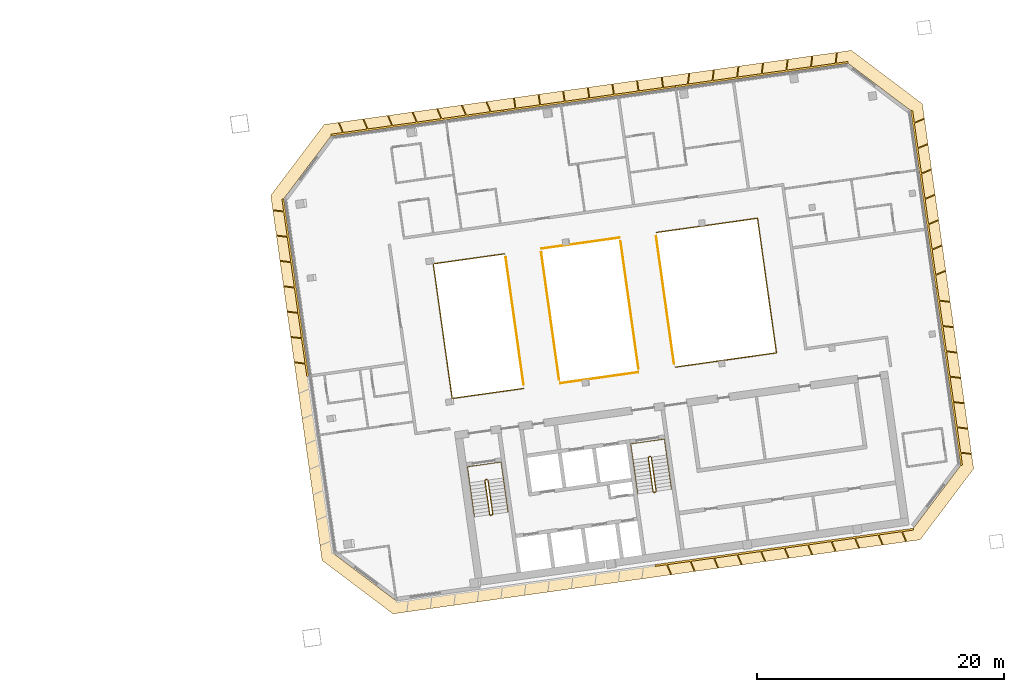
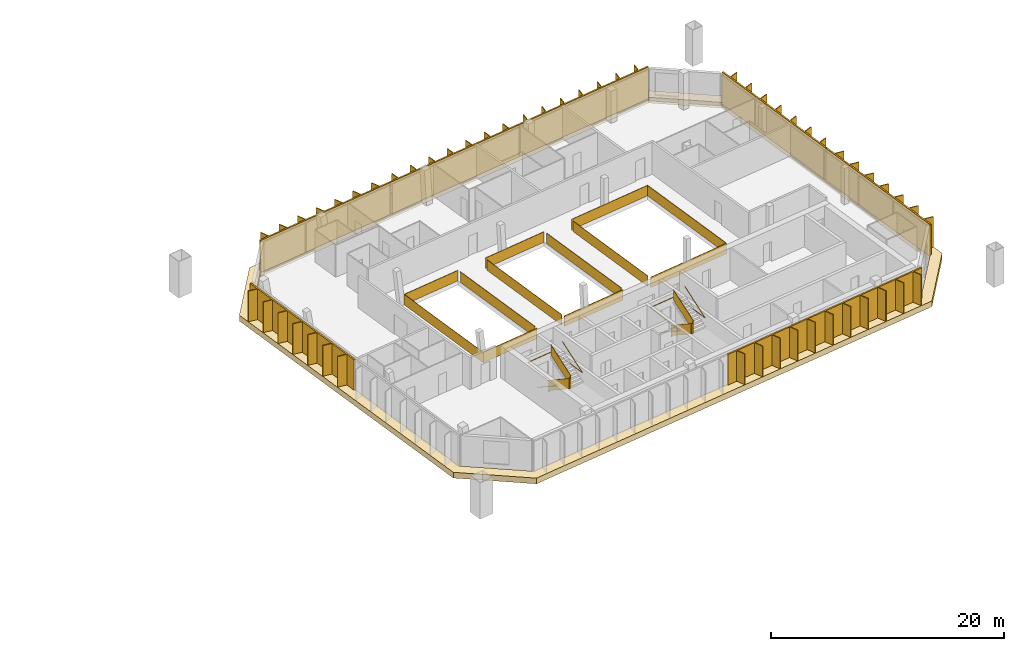
# One storey, part 20 of 20: 12 railings, 7 shading devices, 1 covering.
"""IFC4 building model written with IfcOpenShell, lengths in metres."""

from ifc_helpers import new_model, si_unit, direction, frame, origin, origin_2d, place, context, subcontext, project, spatial, polyline, rectangle, outline, extrude, material, layer, layer_set, type_object, element, save


model = new_model("IFC4")

# Units and contexts
model_context = context("Model", 3, precision=1e-05, world=origin(), true_north=direction((0.0, 1.0)))
body_context = subcontext(model_context, "Body", "Model", "MODEL_VIEW")
ifc_project = project(units=[si_unit("LENGTHUNIT", "METRE"), si_unit("AREAUNIT", "SQUARE_METRE"), si_unit("VOLUMEUNIT", "CUBIC_METRE"), si_unit("PLANEANGLEUNIT", "RADIAN"), si_unit("MASSUNIT", "GRAM", prefix="KILO")], contexts=[model_context])

# Site, building, storey
site_placement = place(None, origin())
site = spatial("IfcSite", under=ifc_project, at=site_placement, CompositionType="ELEMENT")
building_placement = place(site_placement, origin())
building = spatial("IfcBuilding", under=site, at=building_placement, Name="Mirante Cascada Hotel Towers", CompositionType="ELEMENT")
storey_placement = place(building_placement, frame((0.0, 0.0, 224.2)))
storey = spatial("IfcBuildingStorey", under=building, at=storey_placement, Name="L53", CompositionType="ELEMENT", Elevation=224.2)

# Railings
ifc_material_1 = material(Name="Toughened glass with stainless steel handrail", Category="steel")
railing_type_1 = type_object("IfcRailingType", Name="Atrium guard 1100 glass balustrade", PredefinedType="GUARDRAIL", material=ifc_material_1)
railing_1_placement = place(storey_placement, frame((39.6676, 7.0334, 0.0)))
element("IfcRailing", 1, at=railing_1_placement, inside=storey, type_object=railing_type_1, Name="GUARD 2-L53-1", PredefinedType="GUARDRAIL", context=body_context, shape_type="SweptSolid", body=[
    extrude(rectangle(XDim=0.048, YDim=0.048, at=origin_2d()), frame((0.0, 0.0, 1.076), z_axis=(-0.9902677, -0.139176, 0.0), x_axis=(0.139176, -0.9902677, 0.0)), (0.0, 0.0, 1.0), 5.8307),
    extrude(rectangle(XDim=0.02, YDim=1.052, at=origin_2d()), frame((0.0, 0.0, 0.526), z_axis=(-0.9902677, -0.139176, 0.0), x_axis=(0.139176, -0.9902677, 0.0)), (0.0, 0.0, 1.0), 5.8307),
    extrude(rectangle(XDim=0.048, YDim=0.048, at=origin_2d()), frame((-5.774, -0.8115, 1.076), z_axis=(0.1391733, -0.990268, 0.0), x_axis=(0.990268, 0.1391733, 0.0)), (0.0, 0.0, 1.0), 11.0),
    extrude(rectangle(XDim=0.02, YDim=1.052, at=origin_2d()), frame((-5.774, -0.8115, 0.526), z_axis=(0.1391733, -0.990268, 0.0), x_axis=(0.990268, 0.1391733, 0.0)), (0.0, 0.0, 1.0), 11.0),
    extrude(rectangle(XDim=0.048, YDim=0.048, at=origin_2d()), frame((-4.2431, -11.7044, 1.076), z_axis=(0.99027, 0.1391592, 0.0), x_axis=(-0.1391592, 0.99027, 0.0)), (0.0, 0.0, 1.0), 5.8307),
    extrude(rectangle(XDim=0.02, YDim=1.052, at=origin_2d()), frame((-4.2431, -11.7044, 0.526), z_axis=(0.99027, 0.1391592, 0.0), x_axis=(-0.1391592, 0.99027, 0.0)), (0.0, 0.0, 1.0), 5.8307),
])
railing_2_placement = place(storey_placement, frame((44.1693, -3.4421, 0.0)))
element("IfcRailing", 2, at=railing_2_placement, inside=storey, type_object=railing_type_1, Name="GUARD 2-L53-2", PredefinedType="GUARDRAIL", context=body_context, shape_type="SweptSolid", body=[
    extrude(rectangle(XDim=0.048, YDim=0.048, at=origin_2d()), frame((0.0, 0.0, 1.076), z_axis=(0.9902678, 0.1391752, 0.0), x_axis=(-0.1391752, 0.9902678, 0.0)), (0.0, 0.0, 1.0), 6.3898),
    extrude(rectangle(XDim=0.02, YDim=1.052, at=origin_2d()), frame((0.0, 0.0, 0.526), z_axis=(0.9902678, 0.1391752, 0.0), x_axis=(-0.1391752, 0.9902678, 0.0)), (0.0, 0.0, 1.0), 6.3898),
    extrude(rectangle(XDim=0.048, YDim=0.048, at=origin_2d()), frame((6.3276, 0.8893, 1.076), z_axis=(-1.0, 0.0, 0.0), x_axis=(0.0, -1.0, 0.0)), (0.0, 0.0, 1.0), 0.0001),
    extrude(rectangle(XDim=0.02, YDim=1.052, at=origin_2d()), frame((6.3276, 0.8893, 0.526), z_axis=(-1.0, 0.0, 0.0), x_axis=(0.0, -1.0, 0.0)), (0.0, 0.0, 1.0), 0.0001),
])
railing_3_placement = place(storey_placement, frame((48.9659, 8.3402, 0.0)))
element("IfcRailing", 3, at=railing_3_placement, inside=storey, type_object=railing_type_1, Name="GUARD 2-L53-3", PredefinedType="GUARDRAIL", context=body_context, shape_type="SweptSolid", body=[
    extrude(rectangle(XDim=0.048, YDim=0.048, at=origin_2d()), frame((0.0, 0.0, 1.076), z_axis=(-0.9902675, -0.1391774, 0.0), x_axis=(0.1391774, -0.9902675, 0.0)), (0.0, 0.0, 1.0), 6.3897),
    extrude(rectangle(XDim=0.02, YDim=1.052, at=origin_2d()), frame((0.0, 0.0, 0.526), z_axis=(-0.9902675, -0.1391774, 0.0), x_axis=(0.1391774, -0.9902675, 0.0)), (0.0, 0.0, 1.0), 6.3897),
])
railing_4_placement = place(storey_placement, frame((53.4677, -2.1352, 0.0)))
element("IfcRailing", 4, at=railing_4_placement, inside=storey, type_object=railing_type_1, Name="GUARD 2-L53-4", PredefinedType="GUARDRAIL", context=body_context, shape_type="SweptSolid", body=[
    extrude(rectangle(XDim=0.048, YDim=0.048, at=origin_2d()), frame((0.0, 0.0, 1.076), z_axis=(0.9902694, 0.1391636, 0.0), x_axis=(-0.1391636, 0.9902694, 0.0)), (0.0, 0.0, 1.0), 8.2795),
    extrude(rectangle(XDim=0.02, YDim=1.052, at=origin_2d()), frame((0.0, 0.0, 0.526), z_axis=(0.9902694, 0.1391636, 0.0), x_axis=(-0.1391636, 0.9902694, 0.0)), (0.0, 0.0, 1.0), 8.2795),
    extrude(rectangle(XDim=0.048, YDim=0.048, at=origin_2d()), frame((8.1989, 1.1522, 1.076), z_axis=(-0.1391721, 0.9902682, 0.0), x_axis=(-0.9902682, -0.1391721, 0.0)), (0.0, 0.0, 1.0), 11.0001),
    extrude(rectangle(XDim=0.02, YDim=1.052, at=origin_2d()), frame((8.1989, 1.1522, 0.526), z_axis=(-0.1391721, 0.9902682, 0.0), x_axis=(-0.9902682, -0.1391721, 0.0)), (0.0, 0.0, 1.0), 11.0001),
    extrude(rectangle(XDim=0.048, YDim=0.048, at=origin_2d()), frame((6.668, 12.0452, 1.076), z_axis=(-0.9902677, -0.1391754, 0.0), x_axis=(0.1391754, -0.9902677, 0.0)), (0.0, 0.0, 1.0), 8.2795),
    extrude(rectangle(XDim=0.02, YDim=1.052, at=origin_2d()), frame((6.668, 12.0452, 0.526), z_axis=(-0.9902677, -0.1391754, 0.0), x_axis=(0.1391754, -0.9902677, 0.0)), (0.0, 0.0, 1.0), 8.2795),
])
railing_5_placement = place(storey_placement, frame((41.2059, -3.56, 0.0)))
element("IfcRailing", 5, at=railing_5_placement, inside=storey, type_object=railing_type_1, Name="GUARD 2-L53-5", PredefinedType="GUARDRAIL", context=body_context, shape_type="SweptSolid", body=[
    extrude(rectangle(XDim=0.048, YDim=0.048, at=origin_2d()), frame((0.0, 0.0, 1.076), z_axis=(-0.1391721, 0.9902682, 0.0), x_axis=(-0.9902682, -0.1391721, 0.0)), (0.0, 0.0, 1.0), 10.4087),
    extrude(rectangle(XDim=0.02, YDim=1.052, at=origin_2d()), frame((0.0, 0.0, 0.526), z_axis=(-0.1391721, 0.9902682, 0.0), x_axis=(-0.9902682, -0.1391721, 0.0)), (0.0, 0.0, 1.0), 10.4087),
])
railing_6_placement = place(storey_placement, frame((42.6309, 7.1513, 0.0)))
element("IfcRailing", 6, at=railing_6_placement, inside=storey, type_object=railing_type_1, Name="GUARD 2-L53-6", PredefinedType="GUARDRAIL", context=body_context, shape_type="SweptSolid", body=[
    extrude(rectangle(XDim=0.048, YDim=0.048, at=origin_2d()), frame((0.0, 0.0, 1.076), z_axis=(0.1391721, -0.9902682, 0.0), x_axis=(0.9902682, 0.1391721, 0.0)), (0.0, 0.0, 1.0), 10.4087),
    extrude(rectangle(XDim=0.02, YDim=1.052, at=origin_2d()), frame((0.0, 0.0, 0.526), z_axis=(0.1391721, -0.9902682, 0.0), x_axis=(0.9902682, 0.1391721, 0.0)), (0.0, 0.0, 1.0), 10.4087),
])
railing_7_placement = place(storey_placement, frame((50.5043, -2.2532, 0.0)))
element("IfcRailing", 7, at=railing_7_placement, inside=storey, type_object=railing_type_1, Name="GUARD 2-L53-7", PredefinedType="GUARDRAIL", context=body_context, shape_type="SweptSolid", body=[
    extrude(rectangle(XDim=0.048, YDim=0.048, at=origin_2d()), frame((0.0, 0.0, 1.076), z_axis=(-0.1391721, 0.9902682, 0.0), x_axis=(-0.9902682, -0.1391721, 0.0)), (0.0, 0.0, 1.0), 10.4087),
    extrude(rectangle(XDim=0.02, YDim=1.052, at=origin_2d()), frame((0.0, 0.0, 0.526), z_axis=(-0.1391721, 0.9902682, 0.0), x_axis=(-0.9902682, -0.1391721, 0.0)), (0.0, 0.0, 1.0), 10.4087),
])
railing_8_placement = place(storey_placement, frame((51.9293, 8.4581, 0.0)))
element("IfcRailing", 8, at=railing_8_placement, inside=storey, type_object=railing_type_1, Name="GUARD 2-L53-8", PredefinedType="GUARDRAIL", context=body_context, shape_type="SweptSolid", body=[
    extrude(rectangle(XDim=0.048, YDim=0.048, at=origin_2d()), frame((0.0, 0.0, 1.076), z_axis=(0.1391721, -0.9902682, 0.0), x_axis=(0.9902682, 0.1391721, 0.0)), (0.0, 0.0, 1.0), 10.4087),
    extrude(rectangle(XDim=0.02, YDim=1.052, at=origin_2d()), frame((0.0, 0.0, 0.526), z_axis=(0.1391721, -0.9902682, 0.0), x_axis=(0.9902682, 0.1391721, 0.0)), (0.0, 0.0, 1.0), 10.4087),
])

# Covering
ifc_material_2 = material(Name="Precast concrete C40/50 white", Category="concrete")
ifc_layer = layer(ifc_material_2, 0.6)
ifc_layer_set = layer_set([ifc_layer], Name="Precast concrete SUNSHADE band 1000x600")
covering_type = type_object("IfcCoveringType", Name="Precast concrete SUNSHADE band 1000x600", PredefinedType="CLADDING", material=ifc_layer_set)
covering_placement = place(storey_placement, frame((0.0, 0.0, -0.45)))
element("IfcCovering", 9, at=covering_placement, inside=storey, type_object=covering_type, Name="Precast concrete SUNSHADE band T2 L53", PredefinedType="CLADDING", context=body_context, shape_type="SweptSolid", body=[
    extrude(outline(polyline([(20.7409, 11.7595), (25.0694, 17.5036), (67.7326, 23.4995), (73.4767, 19.171), (77.628, -10.3671), (73.2995, -16.1112), (30.6364, -22.1071), (24.8923, -17.7786), (20.7409, 11.7595)]), holes=[polyline([(76.5801, -10.0961), (72.5441, 18.6217), (67.4616, 22.4516), (25.6188, 16.571), (21.7889, 11.4885), (25.8249, -17.2293), (30.9074, -21.0592), (72.7501, -15.1786), (76.5801, -10.0961)])]), origin(), (0.0, 0.0, 1.0), 0.6),
])

# Railings
ifc_material_3 = material(Name="Painted steel", Category="steel")
railing_type_2 = type_object("IfcRailingType", Name="Stair guard 1100 steel balustrade", PredefinedType="GUARDRAIL", material=ifc_material_3)
railing_9_placement = place(storey_placement, frame((38.2663, -11.2395, 0.0)))
element("IfcRailing", 10, at=railing_9_placement, inside=storey, type_object=railing_type_2, Name="L53 ST2-A stair guard 1", PredefinedType="GUARDRAIL", context=body_context, shape_type="SweptSolid", body=[
    extrude(rectangle(XDim=0.048, YDim=0.048, at=origin_2d()), frame((0.0, 0.0, 1.076), z_axis=(-0.9903326, -0.1387133, 0.0), x_axis=(0.1387133, -0.9903326, 0.0)), (0.0, 0.0, 1.0), 0.1499),
    extrude(rectangle(XDim=0.02, YDim=1.052, at=origin_2d()), frame((0.0, 0.0, 0.526), z_axis=(-0.9903326, -0.1387133, 0.0), x_axis=(0.1387133, -0.9903326, 0.0)), (0.0, 0.0, 1.0), 0.1499),
    extrude(rectangle(XDim=0.048, YDim=0.048, at=origin_2d()), frame((-0.1485, -0.0208, 1.076), z_axis=(-0.6020331, -0.7984711, 0.0), x_axis=(0.7984711, -0.6020331, 0.0)), (0.0, 0.9253398, 0.3791387), 0.1866),
    extrude(rectangle(XDim=0.02, YDim=1.052, at=origin_2d()), frame((-0.1485, -0.0208, 0.526), z_axis=(-0.6020331, -0.7984711, 0.0), x_axis=(0.7984711, -0.6020331, 0.0)), (0.0, 0.9253398, 0.3791387), 0.1866),
    extrude(rectangle(XDim=0.048, YDim=0.048, at=origin_2d()), frame((-0.1911, -0.0773, 1.2487), z_axis=(0.139176, -0.9902677, 0.0), x_axis=(0.9902677, 0.139176, 0.0)), (0.0, 0.5250212, 0.8510891), 3.29),
    extrude(rectangle(XDim=0.02, YDim=1.052, at=origin_2d()), frame((-0.1911, -0.0773, 0.6987), z_axis=(0.139176, -0.9902677, 0.0), x_axis=(0.9902677, 0.139176, 0.0)), (0.0, 0.5250212, 0.8510891), 3.29),
    extrude(rectangle(XDim=0.048, YDim=0.048, at=origin_2d()), frame((0.1986, -2.8501, 2.976), z_axis=(0.9944948, -0.1047858, 0.0), x_axis=(0.1047858, 0.9944948, 0.0)), (0.0, 0.0, 1.0), 0.2061),
    extrude(rectangle(XDim=0.02, YDim=1.052, at=origin_2d()), frame((0.1986, -2.8501, 2.426), z_axis=(0.9944948, -0.1047858, 0.0), x_axis=(0.1047858, 0.9944948, 0.0)), (0.0, 0.0, 1.0), 0.2061),
    extrude(rectangle(XDim=0.048, YDim=0.048, at=origin_2d()), frame((0.4036, -2.8717, 2.976), z_axis=(-0.9902408, -0.1393672, 0.0), x_axis=(0.1393672, -0.9902408, 0.0)), (0.0, 0.0, 1.0), 0.15),
    extrude(rectangle(XDim=0.02, YDim=1.052, at=origin_2d()), frame((0.4036, -2.8717, 2.426), z_axis=(-0.9902408, -0.1393672, 0.0), x_axis=(0.1393672, -0.9902408, 0.0)), (0.0, 0.0, 1.0), 0.15),
    extrude(rectangle(XDim=0.048, YDim=0.048, at=origin_2d()), frame((0.2551, -2.8926, 2.976), z_axis=(0.9270311, 0.3749843, 0.0), x_axis=(-0.3749843, 0.9270311, 0.0)), (0.0, 0.6421903, 0.7665452), 0.2689),
    extrude(rectangle(XDim=0.02, YDim=1.052, at=origin_2d()), frame((0.2551, -2.8926, 2.426), z_axis=(0.9270311, 0.3749843, 0.0), x_axis=(-0.3749843, 0.9270311, 0.0)), (0.0, 0.6421903, 0.7665452), 0.2689),
    extrude(rectangle(XDim=0.048, YDim=0.048, at=origin_2d()), frame((0.4462, -2.8153, 3.1487), z_axis=(-0.139176, 0.9902677, 0.0), x_axis=(-0.9902677, -0.139176, 0.0)), (0.0, 0.5250212, 0.8510891), 3.29),
    extrude(rectangle(XDim=0.02, YDim=1.052, at=origin_2d()), frame((0.4462, -2.8153, 2.5987), z_axis=(-0.139176, 0.9902677, 0.0), x_axis=(-0.9902677, -0.139176, 0.0)), (0.0, 0.5250212, 0.8510891), 3.29),
])
railing_10_placement = place(storey_placement, frame((51.4864, -9.3815, 0.0)))
element("IfcRailing", 11, at=railing_10_placement, inside=storey, type_object=railing_type_2, Name="L53 ST2-B stair guard 1", PredefinedType="GUARDRAIL", context=body_context, shape_type="SweptSolid", body=[
    extrude(rectangle(XDim=0.048, YDim=0.048, at=origin_2d()), frame((0.0, 0.0, 1.076), z_axis=(-0.9902408, -0.1393672, 0.0), x_axis=(0.1393672, -0.9902408, 0.0)), (0.0, 0.0, 1.0), 0.15),
    extrude(rectangle(XDim=0.02, YDim=1.052, at=origin_2d()), frame((0.0, 0.0, 0.526), z_axis=(-0.9902408, -0.1393672, 0.0), x_axis=(0.1393672, -0.9902408, 0.0)), (0.0, 0.0, 1.0), 0.15),
    extrude(rectangle(XDim=0.048, YDim=0.048, at=origin_2d()), frame((-0.1485, -0.0209, 1.076), z_axis=(-0.6020331, -0.7984711, 0.0), x_axis=(0.7984711, -0.6020331, 0.0)), (0.0, 0.9253398, 0.3791387), 0.1866),
    extrude(rectangle(XDim=0.02, YDim=1.052, at=origin_2d()), frame((-0.1485, -0.0209, 0.526), z_axis=(-0.6020331, -0.7984711, 0.0), x_axis=(0.7984711, -0.6020331, 0.0)), (0.0, 0.9253398, 0.3791387), 0.1866),
    extrude(rectangle(XDim=0.048, YDim=0.048, at=origin_2d()), frame((-0.1911, -0.0774, 1.2487), z_axis=(0.139181, -0.990267, 0.0), x_axis=(0.990267, 0.139181, 0.0)), (0.0, 0.5250347, 0.8510808), 3.2899),
    extrude(rectangle(XDim=0.02, YDim=1.052, at=origin_2d()), frame((-0.1911, -0.0774, 0.6987), z_axis=(0.139181, -0.990267, 0.0), x_axis=(0.990267, 0.139181, 0.0)), (0.0, 0.5250347, 0.8510808), 3.2899),
    extrude(rectangle(XDim=0.048, YDim=0.048, at=origin_2d()), frame((0.1986, -2.8501, 2.976), z_axis=(0.9944441, -0.1052656, 0.0), x_axis=(0.1052656, 0.9944441, 0.0)), (0.0, 0.0, 1.0), 0.2061),
    extrude(rectangle(XDim=0.02, YDim=1.052, at=origin_2d()), frame((0.1986, -2.8501, 2.426), z_axis=(0.9944441, -0.1052656, 0.0), x_axis=(0.1052656, 0.9944441, 0.0)), (0.0, 0.0, 1.0), 0.2061),
    extrude(rectangle(XDim=0.048, YDim=0.048, at=origin_2d()), frame((0.4036, -2.8718, 2.976), z_axis=(-0.9902408, -0.1393672, 0.0), x_axis=(0.1393672, -0.9902408, 0.0)), (0.0, 0.0, 1.0), 0.15),
    extrude(rectangle(XDim=0.02, YDim=1.052, at=origin_2d()), frame((0.4036, -2.8718, 2.426), z_axis=(-0.9902408, -0.1393672, 0.0), x_axis=(0.1393672, -0.9902408, 0.0)), (0.0, 0.0, 1.0), 0.15),
    extrude(rectangle(XDim=0.048, YDim=0.048, at=origin_2d()), frame((0.2551, -2.8927, 2.976), z_axis=(0.9268624, 0.3754011, 0.0), x_axis=(-0.3754011, 0.9268624, 0.0)), (0.0, 0.6421217, 0.7666028), 0.269),
    extrude(rectangle(XDim=0.02, YDim=1.052, at=origin_2d()), frame((0.2551, -2.8927, 2.426), z_axis=(0.9268624, 0.3754011, 0.0), x_axis=(-0.3754011, 0.9268624, 0.0)), (0.0, 0.6421217, 0.7666028), 0.269),
    extrude(rectangle(XDim=0.048, YDim=0.048, at=origin_2d()), frame((0.4462, -2.8153, 3.1487), z_axis=(-0.139181, 0.990267, 0.0), x_axis=(-0.990267, -0.139181, 0.0)), (0.0, 0.5250347, 0.8510808), 3.2899),
    extrude(rectangle(XDim=0.02, YDim=1.052, at=origin_2d()), frame((0.4462, -2.8153, 2.5987), z_axis=(-0.139181, 0.990267, 0.0), x_axis=(-0.990267, -0.139181, 0.0)), (0.0, 0.5250347, 0.8510808), 3.2899),
])
ifc_material_4 = material(Name="Painted steel", Category="steel")
railing_type_3 = type_object("IfcRailingType", Name="Stair handrail 900 steel tube", PredefinedType="HANDRAIL", material=ifc_material_4)
railing_11_placement = place(storey_placement, frame((36.8374, -11.4908, 0.1727)))
element("IfcRailing", 12, at=railing_11_placement, inside=storey, type_object=railing_type_3, Name="L53 ST2-A stair handrail 1", PredefinedType="HANDRAIL", context=body_context, shape_type="SweptSolid", body=[
    extrude(rectangle(XDim=0.048, YDim=0.048, at=origin_2d()), frame((0.0, 0.0, 0.876), z_axis=(0.139181, -0.990267, 0.0), x_axis=(0.990267, 0.139181, 0.0)), (0.0, 0.5250347, 0.8510808), 3.2899),
    extrude(rectangle(XDim=0.048, YDim=0.048, at=origin_2d()), frame((0.3897, -2.7727, 2.6033), z_axis=(-0.1391707, 0.9902684, 0.0), x_axis=(-0.9902684, -0.1391707, 0.0)), (0.0, 0.0420846, 0.999114), 4.1036),
    extrude(rectangle(XDim=0.048, YDim=0.048, at=origin_2d()), frame((-0.1809, 1.2874, 2.776), z_axis=(0.9902691, 0.1391657, 0.0), x_axis=(-0.1391657, 0.9902691, 0.0)), (0.0, 0.0, 1.0), 2.75),
    extrude(rectangle(XDim=0.048, YDim=0.048, at=origin_2d()), frame((2.5423, 1.6701, 2.776), z_axis=(0.1391707, -0.9902684, 0.0), x_axis=(0.9902684, 0.1391707, 0.0)), (0.0, 0.0, 1.0), 4.1),
    extrude(rectangle(XDim=0.048, YDim=0.048, at=origin_2d()), frame((3.1129, -2.39, 2.776), z_axis=(-0.139181, 0.990267, 0.0), x_axis=(-0.990267, -0.139181, 0.0)), (0.0, 0.5250347, 0.8510808), 3.2899),
])
railing_12_placement = place(storey_placement, frame((50.0575, -9.6328, 0.1727)))
element("IfcRailing", 13, at=railing_12_placement, inside=storey, type_object=railing_type_3, Name="L53 ST2-B stair handrail 1", PredefinedType="HANDRAIL", context=body_context, shape_type="SweptSolid", body=[
    extrude(rectangle(XDim=0.048, YDim=0.048, at=origin_2d()), frame((0.0, 0.0, 0.876), z_axis=(0.139176, -0.9902677, 0.0), x_axis=(0.9902677, 0.139176, 0.0)), (0.0, 0.5250212, 0.8510891), 3.29),
    extrude(rectangle(XDim=0.048, YDim=0.048, at=origin_2d()), frame((0.3897, -2.7728, 2.6033), z_axis=(-0.1391707, 0.9902684, 0.0), x_axis=(-0.9902684, -0.1391707, 0.0)), (0.0, 0.0420846, 0.999114), 4.1036),
    extrude(rectangle(XDim=0.048, YDim=0.048, at=origin_2d()), frame((-0.1809, 1.2873, 2.776), z_axis=(0.9902641, 0.1392013, 0.0), x_axis=(-0.1392013, 0.9902641, 0.0)), (0.0, 0.0, 1.0), 2.75),
    extrude(rectangle(XDim=0.048, YDim=0.048, at=origin_2d()), frame((2.5423, 1.6701, 2.776), z_axis=(0.1391707, -0.9902684, 0.0), x_axis=(0.9902684, 0.1391707, 0.0)), (0.0, 0.0, 1.0), 4.1),
    extrude(rectangle(XDim=0.048, YDim=0.048, at=origin_2d()), frame((3.1129, -2.39, 2.776), z_axis=(-0.139181, 0.990267, 0.0), x_axis=(-0.990267, -0.139181, 0.0)), (0.0, 0.5250347, 0.8510808), 3.2899),
])

# Shading devices
ifc_material_5 = material(Name="White precast concrete C50/60 fin", Category="concrete")
shading_device_type = type_object("IfcShadingDeviceType", Name="Vertical fin set 4500x900", PredefinedType="USERDEFINED", material=ifc_material_5)
shading_device_1_placement = place(storey_placement, origin())
element("IfcShadingDevice", 14, at=shading_device_1_placement, inside=storey, type_object=shading_device_type, Name="FIN T2 L53 front 1", ObjectType="FIN", PredefinedType="USERDEFINED", context=body_context, shape_type="SweptSolid", body=[
    extrude(outline(polyline([(54.6457, 21.6189), (54.5436, 20.7876), (56.4541, 21.0561), (56.5588, 21.9086), (56.6382, 21.8989), (56.5361, 21.0676), (58.4466, 21.3361), (58.5513, 22.1887), (58.6307, 22.1789), (58.5287, 21.3476), (60.4392, 21.6161), (60.5438, 22.4687), (60.6232, 22.4589), (60.5212, 21.6277), (62.4317, 21.8962), (62.5363, 22.7487), (62.6158, 22.739), (62.5137, 21.9077), (64.4242, 22.1762), (64.5289, 23.0288), (64.6083, 23.019), (64.5062, 22.1877), (66.4167, 22.4562), (66.5214, 23.3088), (66.6008, 23.299), (66.4987, 22.4678), (67.4407, 22.6001), (67.4616, 22.4516), (53.514, 20.4914), (53.4931, 20.6399), (54.4616, 20.7761), (54.5663, 21.6286), (54.6457, 21.6189)])), origin(), (0.0, 0.0, 1.0), 3.35),
])
shading_device_2_placement = place(storey_placement, origin())
element("IfcShadingDevice", 15, at=shading_device_2_placement, inside=storey, type_object=shading_device_type, Name="FIN T2 L53 front 2", ObjectType="FIN", PredefinedType="USERDEFINED", context=body_context, shape_type="SweptSolid", body=[
    extrude(outline(polyline([(40.4631, 19.667), (40.5814, 18.8253), (42.4947, 19.0942), (42.3764, 19.9359), (42.4556, 19.9471), (42.5739, 19.1053), (44.4872, 19.3742), (44.3689, 20.216), (44.4481, 20.2271), (44.5664, 19.3854), (46.4797, 19.6543), (46.3614, 20.496), (46.4406, 20.5071), (46.5589, 19.6654), (48.4722, 19.9343), (48.3539, 20.776), (48.4331, 20.7872), (48.5514, 19.9454), (50.4647, 20.2143), (50.3464, 21.0561), (50.4256, 21.0672), (50.5439, 20.2255), (52.4572, 20.4944), (52.3389, 21.3361), (52.4182, 21.3472), (52.5365, 20.5055), (53.4931, 20.6399), (53.514, 20.4914), (39.5664, 18.5312), (39.5455, 18.6797), (40.5021, 18.8142), (40.3839, 19.6559), (40.4631, 19.667)])), origin(), (0.0, 0.0, 1.0), 3.35),
])
shading_device_3_placement = place(storey_placement, origin())
element("IfcShadingDevice", 16, at=shading_device_3_placement, inside=storey, type_object=shading_device_type, Name="FIN T2 L53 front 3", ObjectType="FIN", PredefinedType="USERDEFINED", context=body_context, shape_type="SweptSolid", body=[
    extrude(outline(polyline([(26.2863, 17.6541), (26.6219, 16.8634), (28.5324, 17.1319), (28.2052, 17.9029), (28.2788, 17.9341), (28.6144, 17.1435), (30.5249, 17.412), (30.1977, 18.1829), (30.2713, 18.2142), (30.6069, 17.4235), (32.5174, 17.692), (32.1902, 18.4629), (32.2638, 18.4942), (32.5994, 17.7035), (34.5099, 17.972), (34.1827, 18.743), (34.2563, 18.7742), (34.592, 17.9836), (36.5025, 18.2521), (36.1752, 19.023), (36.2489, 19.0543), (36.5845, 18.2636), (38.495, 18.5321), (38.1677, 19.303), (38.2414, 19.3343), (38.577, 18.5436), (39.5455, 18.6797), (39.5664, 18.5312), (25.6188, 16.571), (25.5979, 16.7195), (26.5399, 16.8519), (26.2126, 17.6229), (26.2863, 17.6541)])), origin(), (0.0, 0.0, 1.0), 3.35),
])
shading_device_4_placement = place(storey_placement, origin())
element("IfcShadingDevice", 17, at=shading_device_4_placement, inside=storey, type_object=shading_device_type, Name="FIN T2 L53 inner 1", ObjectType="FIN", PredefinedType="USERDEFINED", context=body_context, shape_type="SweptSolid", body=[
    extrude(outline(polyline([(22.6753, -1.7093), (23.5066, -1.8114), (23.2298, 0.1579), (22.3772, 0.2626), (22.387, 0.342), (23.2183, 0.2399), (22.9415, 2.2092), (22.089, 2.3138), (22.0987, 2.3933), (22.93, 2.2912), (22.6532, 4.2604), (21.8007, 4.3651), (21.8104, 4.4445), (22.6417, 4.3425), (22.3649, 6.3117), (21.5124, 6.4164), (21.5221, 6.4958), (22.3534, 6.3937), (22.0766, 8.363), (21.2241, 8.4677), (21.2338, 8.5471), (22.0651, 8.445), (21.7884, 10.4142), (20.9358, 10.5189), (20.9456, 10.5983), (21.7768, 10.4963), (21.6403, 11.4676), (21.7889, 11.4885), (23.8069, -2.8704), (23.6583, -2.8913), (23.5181, -1.8934), (22.6655, -1.7887), (22.6753, -1.7093)])), origin(), (0.0, 0.0, 1.0), 3.35),
])
shading_device_5_placement = place(storey_placement, origin())
element("IfcShadingDevice", 18, at=shading_device_5_placement, inside=storey, type_object=shading_device_type, Name="FIN T2 L53 outer 1", ObjectType="FIN", PredefinedType="USERDEFINED", context=body_context, shape_type="SweptSolid", body=[
    extrude(outline(polyline([(77.4234, -9.2059), (76.5921, -9.1039), (76.7286, -10.0752), (76.5801, -10.0961), (74.5621, 4.2628), (74.7106, 4.2837), (74.8508, 3.2858), (75.7034, 3.1811), (75.6937, 3.1017), (74.8624, 3.2038), (75.1391, 1.2345), (75.9917, 1.1298), (75.9819, 1.0504), (75.1507, 1.1525), (75.4274, -0.8168), (76.28, -0.9214), (76.2702, -1.0009), (75.4389, -0.8988), (75.7157, -2.868), (76.5683, -2.9727), (76.5585, -3.0521), (75.7272, -2.9501), (76.004, -4.9193), (76.8565, -5.024), (76.8468, -5.1034), (76.0155, -5.0013), (76.2923, -6.9706), (77.1448, -7.0753), (77.1351, -7.1547), (76.3038, -7.0526), (76.5806, -9.0218), (77.4331, -9.1265), (77.4234, -9.2059)])), origin(), (0.0, 0.0, 1.0), 3.35),
])
shading_device_6_placement = place(storey_placement, origin())
element("IfcShadingDevice", 19, at=shading_device_6_placement, inside=storey, type_object=shading_device_type, Name="FIN T2 L53 outer 2", ObjectType="FIN", PredefinedType="USERDEFINED", context=body_context, shape_type="SweptSolid", body=[
    extrude(outline(polyline([(75.361, 5.6172), (74.5704, 5.2816), (74.7106, 4.2837), (74.5621, 4.2628), (72.5441, 18.6217), (72.6926, 18.6426), (72.8291, 17.6712), (73.6, 17.9984), (73.6313, 17.9248), (72.8406, 17.5892), (73.1174, 15.6199), (73.8883, 15.9472), (73.9196, 15.8735), (73.1289, 15.5379), (73.4057, 13.5687), (74.1766, 13.8959), (74.2079, 13.8223), (73.4172, 13.4866), (73.694, 11.5174), (74.4649, 11.8446), (74.4962, 11.771), (73.7055, 11.4354), (73.9823, 9.4661), (74.7532, 9.7934), (74.7845, 9.7197), (73.9938, 9.3841), (74.2705, 7.4148), (75.0415, 7.7421), (75.0727, 7.6684), (74.2821, 7.3328), (74.5588, 5.3636), (75.3298, 5.6908), (75.361, 5.6172)])), origin(), (0.0, 0.0, 1.0), 3.35),
])
shading_device_7_placement = place(storey_placement, origin())
element("IfcShadingDevice", 20, at=shading_device_7_placement, inside=storey, type_object=shading_device_type, Name="FIN T2 L53 rear 2", ObjectType="FIN", PredefinedType="USERDEFINED", context=body_context, shape_type="SweptSolid", body=[
    extrude(outline(polyline([(53.1085, -18.9284), (52.7729, -18.1377), (51.8496, -18.2674), (51.8288, -18.1189), (72.7501, -15.1786), (72.771, -15.3271), (71.8743, -15.4531), (72.2016, -16.2241), (72.1279, -16.2553), (71.7923, -15.4647), (69.9724, -15.7204), (70.2996, -16.4914), (70.226, -16.5226), (69.8904, -15.732), (68.0704, -15.9877), (68.3977, -16.7587), (68.324, -16.7899), (67.9884, -15.9993), (66.1685, -16.255), (66.4957, -17.026), (66.4221, -17.0572), (66.0865, -16.2666), (64.2665, -16.5223), (64.5938, -17.2933), (64.5201, -17.3245), (64.1845, -16.5339), (62.3646, -16.7896), (62.6918, -17.5606), (62.6182, -17.5918), (62.2826, -16.8012), (60.4627, -17.057), (60.7899, -17.8279), (60.7163, -17.8591), (60.3806, -17.0685), (58.5607, -17.3243), (58.888, -18.0952), (58.8143, -18.1264), (58.4787, -17.3358), (56.6588, -17.5916), (56.986, -18.3625), (56.9124, -18.3938), (56.5768, -17.6031), (54.7568, -17.8589), (55.0841, -18.6298), (55.0104, -18.6611), (54.6748, -17.8704), (52.8549, -18.1262), (53.1821, -18.8971), (53.1085, -18.9284)])), origin(), (0.0, 0.0, 1.0), 3.35),
])

save(model, "model.ifc")
